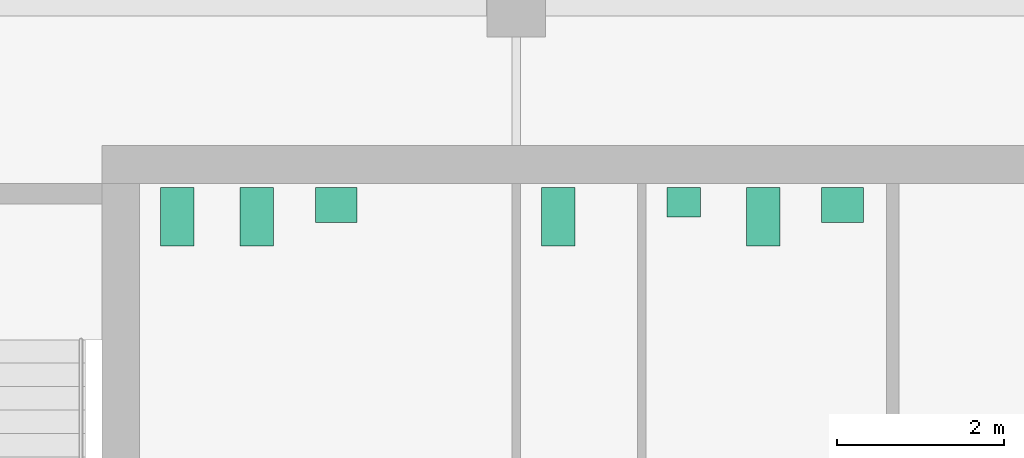
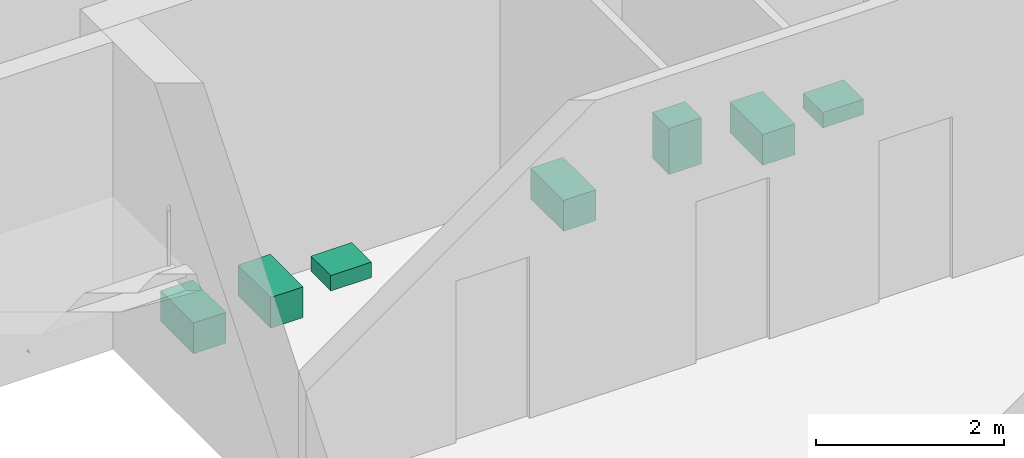
# One storey, part 7 of 7: 7 sanitary terminals.
"""IFC4 building model written with IfcOpenShell, lengths in metres."""

from ifc_helpers import new_model, si_unit, direction, frame, origin, origin_2d, place, context, subcontext, project, spatial, rectangle, extrude, material, type_object, element, save


model = new_model("IFC4")

# Units and contexts
model_context = context("Model", 3, precision=1e-05, world=origin(), true_north=direction((0.0, 1.0)))
body_context = subcontext(model_context, "Body", "Model", "MODEL_VIEW")
ifc_project = project(units=[si_unit("LENGTHUNIT", "METRE"), si_unit("AREAUNIT", "SQUARE_METRE"), si_unit("VOLUMEUNIT", "CUBIC_METRE"), si_unit("PLANEANGLEUNIT", "RADIAN"), si_unit("MASSUNIT", "GRAM", prefix="KILO")], contexts=[model_context])

# Site, building, storey
site_placement = place(None, origin())
site = spatial("IfcSite", under=ifc_project, at=site_placement, CompositionType="ELEMENT")
building_placement = place(site_placement, origin())
building = spatial("IfcBuilding", under=site, at=building_placement, Name="Cinnabar Reach Civic Tower", CompositionType="ELEMENT")
storey_placement = place(building_placement, frame((0.0, 0.0, 251.0)))
storey = spatial("IfcBuildingStorey", under=building, at=storey_placement, Name="L60", CompositionType="ELEMENT", Elevation=251.0)

# Sanitary terminals
ifc_material = material(Name="Vitreous china")
sanitary_terminal_type_1 = type_object("IfcSanitaryTerminalType", Name="T1 WC pan", PredefinedType="TOILETPAN", material=ifc_material)
for number, where, z_axis, x_axis, name in (
    (1, (4.95, 41.6, 0.0), (0.0, 0.0, 1.0), (1.0, 0.0, 0.0), "T1 WC pan 6009-1"),
    (2, (5.9, 41.6, 0.0), (0.0, 0.0, 1.0), (1.0, 0.0, 0.0), "T1 WC pan 6009-2"),
    (3, (9.5, 41.6, 0.0), (0.0, 0.0, 1.0), (1.0, 0.0, 0.0), "T1 WC pan 6010-1"),
    (4, (11.95, 41.6, 0.0), (0.0, 0.0, 1.0), (1.0, 0.0, 0.0), "T1 WC pan 6011-2"),
):
    element("IfcSanitaryTerminal", number, at=place(storey_placement, frame(where, z_axis=z_axis, x_axis=x_axis)), inside=storey, type_object=sanitary_terminal_type_1, Name=name, PredefinedType="TOILETPAN", context=body_context, shape_type="SweptSolid", body=[
        extrude(rectangle(XDim=0.4, YDim=0.7, at=origin_2d()), origin(), (0.0, 0.0, 1.0), 0.4),
    ])
sanitary_terminal_type_2 = type_object("IfcSanitaryTerminalType", Name="T1 urinal", PredefinedType="URINAL", material=ifc_material)
sanitary_terminal_placement = place(storey_placement, frame((11.0, 41.775, 0.0), z_axis=(0.0, 0.0, 1.0), x_axis=(1.0, 0.0, 0.0)))
element("IfcSanitaryTerminal", 5, at=sanitary_terminal_placement, inside=storey, type_object=sanitary_terminal_type_2, Name="T1 urinal 6011-1", PredefinedType="URINAL", context=body_context, shape_type="SweptSolid", body=[
    extrude(rectangle(XDim=0.4, YDim=0.35, at=origin_2d()), origin(), (0.0, 0.0, 1.0), 0.6),
])
sanitary_terminal_type_3 = type_object("IfcSanitaryTerminalType", Name="T1 wash basin", PredefinedType="WASHHANDBASIN", material=ifc_material)
for number, where, z_axis, x_axis, name in (
    (6, (6.85, 41.74, 0.0), (0.0, 0.0, 1.0), (1.0, 0.0, 0.0), "T1 wash basin 6009-3"),
    (7, (12.9, 41.74, 0.0), (0.0, 0.0, 1.0), (1.0, 0.0, 0.0), "T1 wash basin 6011-3"),
):
    element("IfcSanitaryTerminal", number, at=place(storey_placement, frame(where, z_axis=z_axis, x_axis=x_axis)), inside=storey, type_object=sanitary_terminal_type_3, Name=name, PredefinedType="WASHHANDBASIN", context=body_context, shape_type="SweptSolid", body=[
        extrude(rectangle(XDim=0.5, YDim=0.42, at=origin_2d()), origin(), (0.0, 0.0, 1.0), 0.2),
    ])

save(model, "model.ifc")
